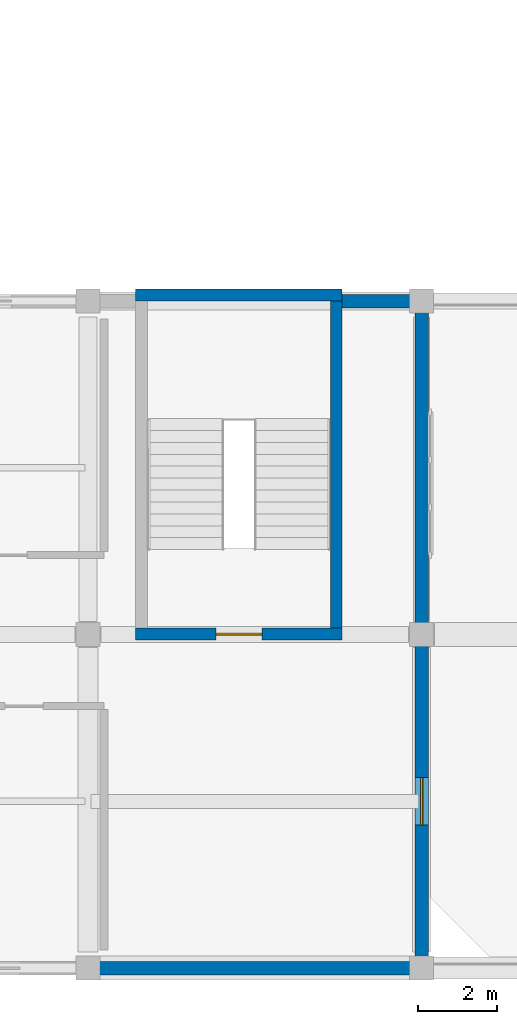
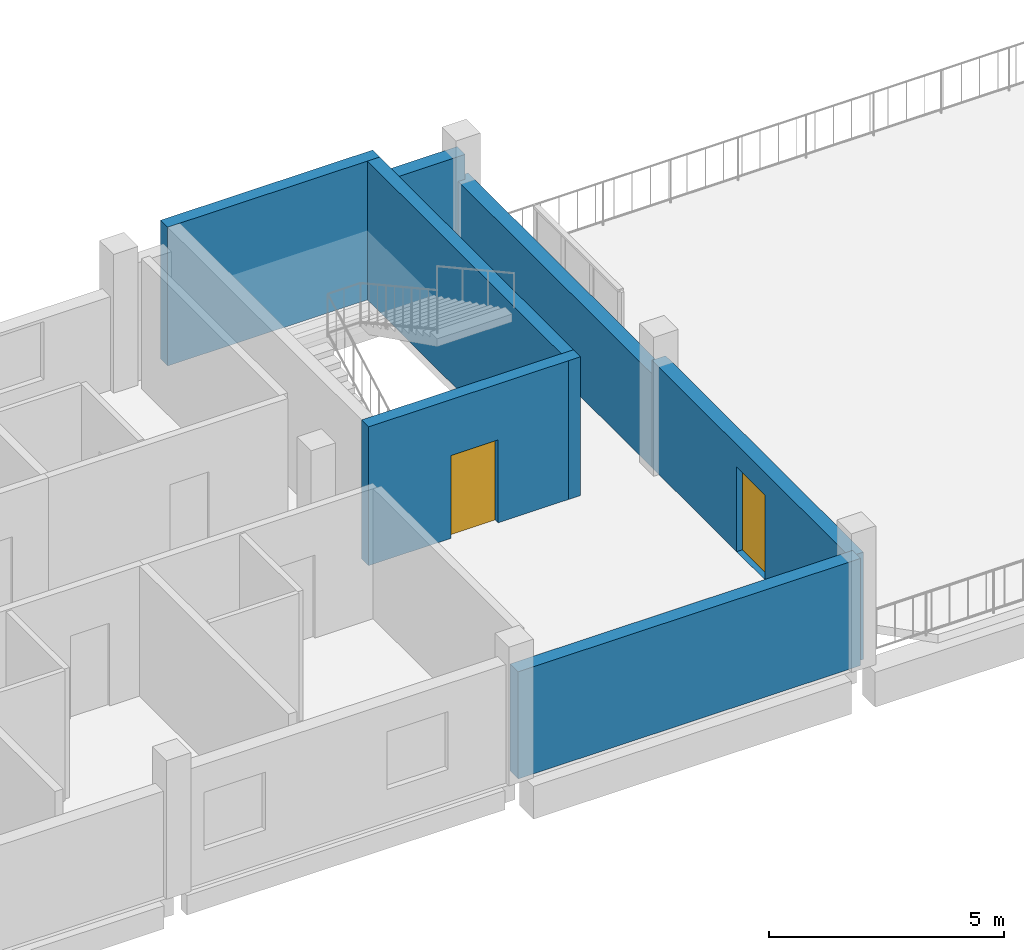
# One storey, part 22 of 25: 7 walls, 2 doors, 2 openings.
"""IFC4 building model written with IfcOpenShell, lengths in metres."""

from ifc_helpers import new_model, si_unit, derived_unit, direction, frame, frame_2d, origin, place, context, subcontext, project, spatial, rectangle, extrude, material, layer, layer_set, type_object, element, fill, save


model = new_model("IFC4")

# Units and contexts
model_context = context("Model", 3, precision=1e-05, world=origin(), true_north=direction((0.0, 1.0)))
body_context = subcontext(model_context, "Body", "Model", "MODEL_VIEW")
ifc_project = project(units=[si_unit("LENGTHUNIT", "METRE"), si_unit("AREAUNIT", "SQUARE_METRE"), si_unit("VOLUMEUNIT", "CUBIC_METRE"), si_unit("PLANEANGLEUNIT", "RADIAN"), si_unit("MASSUNIT", "GRAM", prefix="KILO"), derived_unit("THERMALTRANSMITTANCEUNIT", [(si_unit("POWERUNIT", "WATT"), 1), (si_unit("LENGTHUNIT", "METRE"), -2), (si_unit("THERMODYNAMICTEMPERATUREUNIT", "KELVIN"), -1)])], contexts=[model_context])

# Site, building, storey
site_placement = place(None, origin())
site = spatial("IfcSite", under=ifc_project, at=site_placement, CompositionType="ELEMENT")
building_placement = place(site_placement, origin())
building = spatial("IfcBuilding", under=site, at=building_placement, Name="Barrovel Congress Hotel", CompositionType="ELEMENT")
storey_placement = place(building_placement, frame((0.0, 0.0, 25.5)))
storey = spatial("IfcBuildingStorey", under=building, at=storey_placement, Name="L06", CompositionType="ELEMENT", Elevation=25.5)

# Walls
ifc_material_1 = material(Name="Fired Clay Brick Masonry", Category="masonry")
ifc_layer_1 = layer(ifc_material_1, 0.340087890625)
ifc_layer_set_1 = layer_set([ifc_layer_1], Name="Fired Clay Brick Masonry")
wall_type_1 = type_object("IfcWallType", Name="EW-BRK340", PredefinedType="STANDARD", material=ifc_layer_set_1)
wall_1_placement = place(storey_placement, frame((151.199951171875, 12.60009765625, 0.0), z_axis=(0.0, 0.0, 1.0), x_axis=(0.0, 1.0, 0.0)))
element("IfcWall", 1, at=wall_1_placement, inside=storey, type_object=wall_type_1, Name="EW:L06:HS-E", PredefinedType="STANDARD", context=body_context, shape_type="SweptSolid", body=[
    extrude(rectangle(XDim=8.39990234375, YDim=0.340087890625, at=frame_2d((4.199951171875, 0.0))), origin(), (0.0, 0.0, 1.0), 2.429931640625),
])
wall_2_placement = place(storey_placement, frame((151.199951171875, 21.0, 0.0), z_axis=(0.0, 0.0, 1.0), x_axis=(-1.0, 0.0, 0.0)))
element("IfcWall", 2, at=wall_2_placement, inside=storey, type_object=wall_type_1, Name="EW:L06:HS-NE-1", PredefinedType="STANDARD", context=body_context, shape_type="SweptSolid", body=[
    extrude(rectangle(XDim=2.0, YDim=0.340087890625, at=frame_2d((1.0, 0.0))), origin(), (0.0, 0.0, 1.0), 3.070068359375),
])
wall_3_placement = place(storey_placement, frame((142.800048828125, 4.199951171875, 0.0), z_axis=(0.0, 0.0, 1.0), x_axis=(1.0, 0.0, 0.0)))
element("IfcWall", 3, at=wall_3_placement, inside=storey, type_object=wall_type_1, Name="EW:L06:HS-S:P13", PredefinedType="STANDARD", context=body_context, shape_type="SweptSolid", body=[
    extrude(rectangle(XDim=8.39990234375, YDim=0.340087890625, at=frame_2d((4.199951171875, 0.0))), origin(), (0.0, 0.0, 1.0), 2.780029296875),
])

# Wall, opening, door
wall_4_placement = place(storey_placement, frame((151.199951171875, 4.199951171875, 0.0), z_axis=(0.0, 0.0, 1.0), x_axis=(0.0, 1.0, 0.0)))
wall_4 = element("IfcWall", 4, at=wall_4_placement, inside=storey, type_object=wall_type_1, Name="EW:L06:HS-E:P01", PredefinedType="STANDARD", context=body_context, shape_type="SweptSolid", body=[
    extrude(rectangle(XDim=8.400146484375, YDim=0.340087890625, at=frame_2d((4.2001953125, 0.0))), origin(), (0.0, 0.0, 1.0), 2.780029296875),
])
opening_1_placement = place(wall_4_placement, frame((4.800048828125, 0.0, 0.0), z_axis=(0.0, 0.0, 1.0), x_axis=(-1.0, 0.0, 0.0)))
opening_1 = element("IfcOpeningElement", 5, at=opening_1_placement, cuts=wall_4, Name="Opening ED-04", PredefinedType="OPENING", context=body_context, shape_type="SweptSolid", body=[
    extrude(rectangle(XDim=1.199951171875, YDim=2.199951171875, at=frame_2d((0.60009765625, 1.10009765625))), frame((0.0, 0.18017578125, 0.0), z_axis=(0.0, -1.0, 0.0), x_axis=(1.0, 0.0, 0.0)), (0.0, 0.0, 1.0), 0.360107421875),
])
ifc_material_2 = material(Name="Anodised Aluminium Glazed Door", Category="aluminium")
door_type_1 = type_object("IfcDoorType", Name="EDR-ED-04", OperationType="NOTDEFINED", PredefinedType="DOOR", material=ifc_material_2)
door_1_placement = place(opening_1_placement, origin())
door_1 = element("IfcDoor", 6, at=door_1_placement, inside=storey, type_object=door_type_1, Name="L06 East Setback Terrace Door", OperationType="SINGLE_SWING_LEFT", OverallHeight=2.199951171875, OverallWidth=1.199951171875, PredefinedType="DOOR", context=body_context, shape_type="SweptSolid", body=[
    extrude(rectangle(XDim=1.199951171875, YDim=2.199951171875, at=frame_2d((0.60009765625, 1.10009765625))), frame((0.0, 0.02490234375, 0.0), z_axis=(0.0, -1.0, 0.0), x_axis=(1.0, 0.0, 0.0)), (0.0, 0.0, 1.0), 0.050048828125),
])
fill(opening_1, door_1)

ifc_material_3 = material(Name="Concrete C40", Category="concrete")
ifc_layer_2 = layer(ifc_material_3, 0.300048828125)
ifc_layer_set_2 = layer_set([ifc_layer_2], Name="Concrete C40")
wall_type_2 = type_object("IfcWallType", Name="SW-C40-300", PredefinedType="SHEAR", material=ifc_layer_set_2)
wall_5_placement = place(storey_placement, frame((144.0, 12.610107421875, 0.0), z_axis=(0.0, 0.0, 1.0), x_axis=(1.0, 0.0, 0.0)))
wall_5 = element("IfcWall", 7, at=wall_5_placement, inside=storey, type_object=wall_type_2, Name="SHW:XS-04:L06:S", PredefinedType="SHEAR", context=body_context, shape_type="SweptSolid", body=[
    extrude(rectangle(XDim=5.199951171875, YDim=0.300048828125, at=frame_2d((2.60009765625, 0.0))), origin(), (0.0, 0.0, 1.0), 3.60009765625),
])
opening_2_placement = place(wall_5_placement, frame((2.02490234375, 0.0, 0.0)))
opening_2 = element("IfcOpeningElement", 8, at=opening_2_placement, cuts=wall_5, Name="Opening ID-ST1", PredefinedType="OPENING", context=body_context, shape_type="SweptSolid", body=[
    extrude(rectangle(XDim=1.14990234375, YDim=2.14990234375, at=frame_2d((0.574951171875, 1.074951171875))), frame((0.0, 0.16015625, 0.0), z_axis=(0.0, -1.0, 0.0), x_axis=(1.0, 0.0, 0.0)), (0.0, 0.0, 1.0), 0.320068359375),
])
ifc_material_4 = material(Name="Painted Hollow-Metal Steel Door", Category="steel")
door_type_2 = type_object("IfcDoorType", Name="IDR-ID-ST1", OperationType="NOTDEFINED", PredefinedType="DOOR", material=ifc_material_4)
door_2_placement = place(opening_2_placement, origin())
door_2 = element("IfcDoor", 9, at=door_2_placement, inside=storey, type_object=door_type_2, Name="Stair Core Fire Door XS-04-L06", OperationType="SINGLE_SWING_LEFT", OverallHeight=2.14990234375, OverallWidth=1.14990234375, PredefinedType="DOOR", context=body_context, shape_type="SweptSolid", body=[
    extrude(rectangle(XDim=1.14990234375, YDim=2.14990234375, at=frame_2d((0.574951171875, 1.074951171875))), frame((0.0, 0.02490234375, 0.0), z_axis=(0.0, -1.0, 0.0), x_axis=(1.0, 0.0, 0.0)), (0.0, 0.0, 1.0), 0.050048828125),
])
fill(opening_2, door_2)

# Walls
wall_6_placement = place(storey_placement, frame((149.050048828125, 12.4599609375, 0.0), z_axis=(0.0, 0.0, 1.0), x_axis=(0.0, 1.0, 0.0)))
element("IfcWall", 10, at=wall_6_placement, inside=storey, type_object=wall_type_2, Name="SHW:XS-04:L06:E", PredefinedType="SHEAR", context=body_context, shape_type="SweptSolid", body=[
    extrude(rectangle(XDim=8.840087890625, YDim=0.300048828125, at=frame_2d((4.419921875, 0.0))), origin(), (0.0, 0.0, 1.0), 3.60009765625),
])
wall_7_placement = place(storey_placement, frame((149.199951171875, 21.14990234375, 0.0), z_axis=(0.0, 0.0, 1.0), x_axis=(-1.0, 0.0, 0.0)))
element("IfcWall", 11, at=wall_7_placement, inside=storey, type_object=wall_type_2, Name="SHW:XS-04:L06:N", PredefinedType="SHEAR", context=body_context, shape_type="SweptSolid", body=[
    extrude(rectangle(XDim=5.199951171875, YDim=0.300048828125, at=frame_2d((2.60009765625, 0.0))), origin(), (0.0, 0.0, 1.0), 3.60009765625),
])

save(model, "model.ifc")
